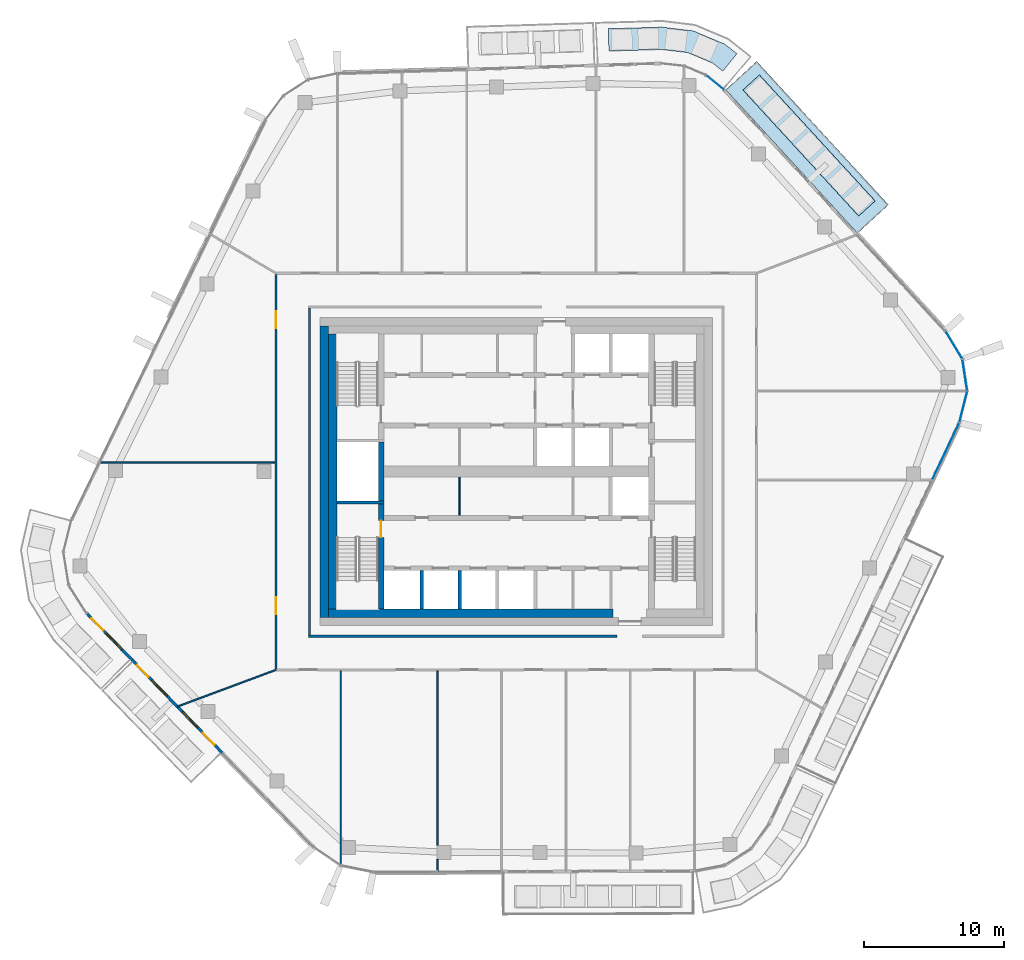
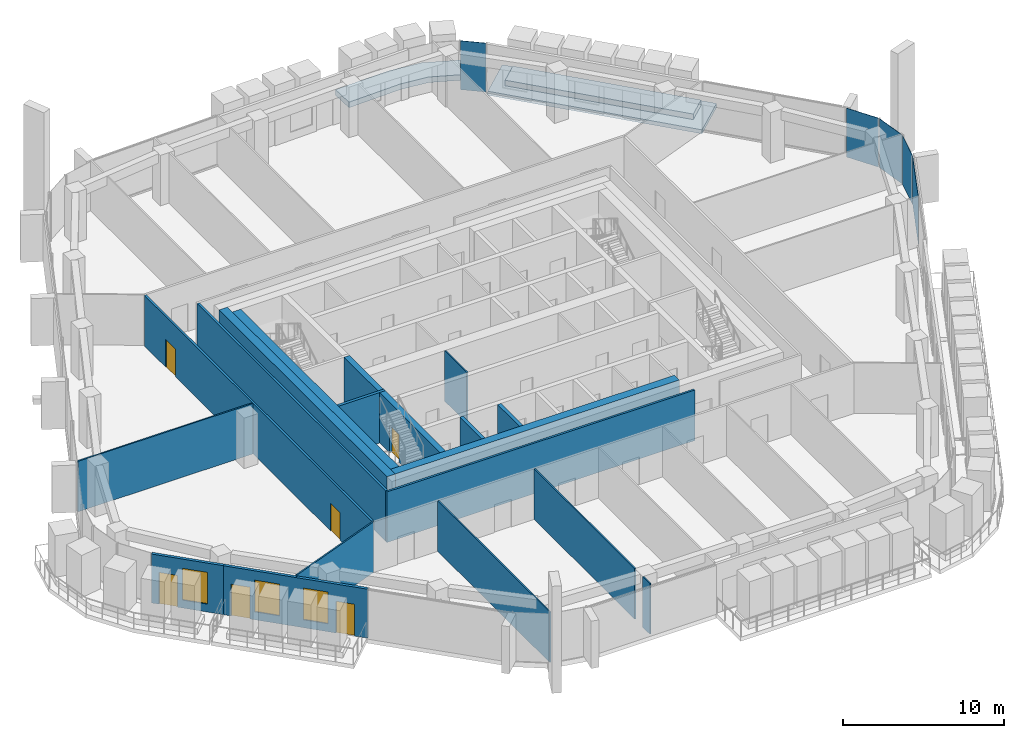
# One storey, part 12 of 24: 19 walls, 6 doors, 5 plates, 3 slabs, 3 windows, 9 openings, 3 elements without a shape of their own.
"""IFC4 building model written with IfcOpenShell, lengths in metres."""

from ifc_helpers import new_model, si_unit, direction, frame, frame_2d, origin, origin_2d, place, context, subcontext, project, spatial, polyline, rectangle, outline, extrude, material, layer, layer_set, type_object, element, fill, aggregate, save


model = new_model("IFC4")

# Units and contexts
model_context = context("Model", 3, precision=1e-05, world=origin(), true_north=direction((0.0, 1.0)))
body_context = subcontext(model_context, "Body", "Model", "MODEL_VIEW")
ifc_project = project(units=[si_unit("LENGTHUNIT", "METRE"), si_unit("AREAUNIT", "SQUARE_METRE"), si_unit("VOLUMEUNIT", "CUBIC_METRE"), si_unit("PLANEANGLEUNIT", "RADIAN"), si_unit("MASSUNIT", "GRAM", prefix="KILO")], contexts=[model_context])

# Site, building, storey
site_placement = place(None, origin())
site = spatial("IfcSite", under=ifc_project, at=site_placement, CompositionType="ELEMENT")
building_placement = place(site_placement, origin())
building = spatial("IfcBuilding", under=site, at=building_placement, Name="Dongbaek Canopy Tower", CompositionType="ELEMENT")
storey_placement = place(building_placement, frame((0.0, 0.0, 344.60009765625)))
storey = spatial("IfcBuildingStorey", under=building, at=storey_placement, Name="L74", CompositionType="ELEMENT", Elevation=344.60009765625)

# Slab
ifc_material_1 = material(Name="Concrete C40/50", Category="concrete")
ifc_layer_1 = layer(ifc_material_1, 0.300048828125)
ifc_layer_set_1 = layer_set([ifc_layer_1], Name="Balcony slab 300")
slab_type_1 = type_object("IfcSlabType", Name="Balcony slab 300", PredefinedType="FLOOR", material=ifc_layer_set_1)
slab_1_placement = place(storey_placement, frame((0.0, 0.0, -0.300048828125)))
element("IfcSlab", 1, at=slab_1_placement, inside=storey, type_object=slab_type_1, Name="Balcony L74 1", PredefinedType="FLOOR", context=body_context, shape_type="SweptSolid", body=[
    extrude(outline(polyline([(24.352783203125, 17.00244140625), (14.942626953125, 27.250244140625), (17.15234375, 29.279296875), (26.5625, 19.03173828125), (24.352783203125, 17.00244140625)])), origin(), (0.0, 0.0, 1.0), 0.300048828125),
])

# Curtain wall, plates
ifc_material_2 = material(Name="Aluminium 6063-T6 pale anodised", Category="aluminium")
ifc_layer_2 = layer(ifc_material_2, 0.199951171875)
ifc_layer_set_2 = layer_set([ifc_layer_2], Name="CW-1 unitised tower curtain wall")
curtain_wall_type = type_object("IfcCurtainWallType", Name="CW-1 unitised tower curtain wall", PredefinedType="NOTDEFINED", material=ifc_layer_set_2)
curtain_wall_1_placement = place(storey_placement, origin())
curtain_wall_1 = element("IfcCurtainWall", 2, at=curtain_wall_1_placement, inside=storey, type_object=curtain_wall_type, Name="CW-1 curtain wall K0.1", PredefinedType="NOTDEFINED")
ifc_material_3 = material(Name="Clear laminated glass", Category="glass")
ifc_layer_3 = layer(ifc_material_3, 0.028076171875)
ifc_layer_set_3 = layer_set([ifc_layer_3], Name="CW-1 glazed panel 28")
plate_type = type_object("IfcPlateType", Name="CW-1 glazed panel 28", PredefinedType="CURTAIN_PANEL", material=ifc_layer_set_3)
plate_1_placement = place(storey_placement, frame((31.89453125, 4.61767578125, 0.0), z_axis=(0.0, 0.0, 1.0), x_axis=(0.242793233587, 0.970078061665, 0.0)))
plate_1 = element("IfcPlate", 3, at=plate_1_placement, type_object=plate_type, Name="CW-1 panel K0.1.1.1", PredefinedType="CURTAIN_PANEL", context=body_context, shape_type="SweptSolid", body=[
    extrude(rectangle(XDim=2.241943359375, YDim=0.028076171875, at=origin_2d()), origin(), (0.0, 0.0, 1.0), 3.699951171875),
])
plate_2_placement = place(storey_placement, frame((32.00390625, 6.890869140625, 0.0), z_axis=(0.0, 0.0, 1.0), x_axis=(-0.149418389045, 0.988774061662, 0.0)))
plate_2 = element("IfcPlate", 4, at=plate_2_placement, type_object=plate_type, Name="CW-1 panel K0.1.2.1", PredefinedType="CURTAIN_PANEL", context=body_context, shape_type="SweptSolid", body=[
    extrude(rectangle(XDim=2.23193359375, YDim=0.028076171875, at=origin_2d()), origin(), (0.0, 0.0, 1.0), 3.699951171875),
])
plate_3_placement = place(storey_placement, frame((31.227783203125, 9.030029296875, 0.0), z_axis=(0.0, 0.0, 1.0), x_axis=(-0.518592759576, 0.855021373835, 0.0)))
plate_3 = element("IfcPlate", 5, at=plate_3_placement, type_object=plate_type, Name="CW-1 panel K0.1.3.1", PredefinedType="CURTAIN_PANEL", context=body_context, shape_type="SweptSolid", body=[
    extrude(rectangle(XDim=2.241943359375, YDim=0.028076171875, at=origin_2d()), origin(), (0.0, 0.0, 1.0), 3.699951171875),
])
aggregate(curtain_wall_1, [plate_1, plate_2, plate_3])

# Curtain wall, plate
curtain_wall_2_placement = place(storey_placement, origin())
curtain_wall_2 = element("IfcCurtainWall", 6, at=curtain_wall_2_placement, inside=storey, type_object=curtain_wall_type, Name="CW-1 curtain wall K1.1", PredefinedType="NOTDEFINED")
plate_4_placement = place(storey_placement, frame((14.185302734375, 27.748779296875, 0.0), z_axis=(0.0, 0.0, 1.0), x_axis=(-0.774535945331, 0.632529896044, 0.0)))
plate_4 = element("IfcPlate", 7, at=plate_4_placement, type_object=plate_type, Name="CW-1 panel K1.1.1.1", PredefinedType="CURTAIN_PANEL", context=body_context, shape_type="SweptSolid", body=[
    extrude(rectangle(XDim=1.6064453125, YDim=0.028076171875, at=origin_2d()), origin(), (0.0, 0.0, 1.0), 3.699951171875),
])
aggregate(curtain_wall_2, [plate_4])

curtain_wall_3_placement = place(storey_placement, origin())
curtain_wall_3 = element("IfcCurtainWall", 8, at=curtain_wall_3_placement, inside=storey, type_object=curtain_wall_type, Name="CW-1 curtain wall F5.1", PredefinedType="NOTDEFINED")
plate_5_placement = place(storey_placement, frame((30.644287109375, 1.448974609375, 0.119873046875), z_axis=(0.0, 0.0, 1.0), x_axis=(0.428521992738, 0.903531350723, 0.0)))
plate_5 = element("IfcPlate", 9, at=plate_5_placement, type_object=plate_type, Name="CW-1 panel F5.1.2.1", PredefinedType="CURTAIN_PANEL", context=body_context, shape_type="SweptSolid", body=[
    extrude(rectangle(XDim=4.432861328125, YDim=0.028076171875, at=origin_2d()), origin(), (0.0, 0.0, 1.0), 3.580078125),
])
aggregate(curtain_wall_3, [plate_5])

# Slabs
ifc_material_4 = material(Name="Reinforced concrete C40/50 planter box with soil", Category="concrete")
ifc_layer_4 = layer(ifc_material_4, 0.419921875)
ifc_layer_set_4 = layer_set([ifc_layer_4], Name="Terrace planter box 1600 x 420")
slab_type_2 = type_object("IfcSlabType", Name="Terrace planter box 1600 x 420", PredefinedType="USERDEFINED", material=ifc_layer_set_4)
slab_2_placement = place(storey_placement, origin())
element("IfcSlab", 10, at=slab_2_placement, inside=storey, type_object=slab_type_2, Name="Balcony planter L74 1", ObjectType="PLANTER", PredefinedType="USERDEFINED", context=body_context, shape_type="SweptSolid", body=[
    extrude(outline(polyline([(24.433349609375, 18.23046875), (16.173095703125, 27.22607421875), (17.3515625, 28.30810546875), (25.61181640625, 19.312744140625), (24.433349609375, 18.23046875)])), origin(), (0.0, 0.0, 1.0), 0.419921875),
])
slab_3_placement = place(storey_placement, origin())
element("IfcSlab", 11, at=slab_3_placement, inside=storey, type_object=slab_type_2, Name="Balcony planter L74 6", ObjectType="PLANTER", PredefinedType="USERDEFINED", context=body_context, shape_type="SweptSolid", body=[
    extrude(outline(polyline([(14.736083984375, 28.5771484375), (14.04150390625, 29.132568359375), (12.2294921875, 29.8955078125), (10.339599609375, 30.115234375), (6.61083984375, 30.001708984375), (6.561279296875, 31.60107421875), (10.404296875, 31.7138671875), (12.633544921875, 31.443603515625), (14.866455078125, 30.50341796875), (15.748046875, 29.81640625), (14.736083984375, 28.5771484375)])), origin(), (0.0, 0.0, 1.0), 0.419921875),
])

# Walls
ifc_material_5 = material(Name="Concrete C80/95", Category="concrete")
ifc_layer_5 = layer(ifc_material_5, 0.60009765625)
ifc_layer_set_5 = layer_set([ifc_layer_5], Name="Core outer wall 600 Concrete C80/95")
wall_type_1 = type_object("IfcWallType", Name="Core outer wall 600 Concrete C80/95", PredefinedType="SHEAR", material=ifc_layer_set_5)
wall_1_placement = place(storey_placement, frame((-13.699951171875, -10.39990234375, 0.0), z_axis=(0.0, 0.0, 1.0), x_axis=(0.0, 1.0, 0.0)))
element("IfcWall", 12, at=wall_1_placement, inside=storey, type_object=wall_type_1, Name="Core wall", PredefinedType="SHEAR", context=body_context, shape_type="SweptSolid", body=[
    extrude(rectangle(XDim=20.7998046875, YDim=0.60009765625, at=frame_2d((10.39990234375, 0.0))), origin(), (0.0, 0.0, 1.0), 3.81982421875),
])
ifc_material_6 = material(Name="Concrete C60/75", Category="concrete")
ifc_layer_6 = layer(ifc_material_6, 0.60009765625)
ifc_layer_set_6 = layer_set([ifc_layer_6], Name="Core wall lining 600 Concrete C60/75")
wall_type_2 = type_object("IfcWallType", Name="Core wall lining 600 Concrete C60/75", PredefinedType="SHEAR", material=ifc_layer_set_6)
wall_2_placement = place(storey_placement, frame((6.89990234375, -10.10009765625, 0.0), z_axis=(0.0, 0.0, 1.0), x_axis=(-1.0, 0.0, 0.0)))
element("IfcWall", 13, at=wall_2_placement, inside=storey, type_object=wall_type_2, Name="Core wall lining", PredefinedType="SHEAR", context=body_context, shape_type="SweptSolid", body=[
    extrude(rectangle(XDim=20.2998046875, YDim=0.60009765625, at=frame_2d((10.14990234375, 0.0))), origin(), (0.0, 0.0, 1.0), 3.81982421875),
])
wall_3_placement = place(storey_placement, frame((-13.10009765625, -9.800048828125, 0.0), z_axis=(0.0, 0.0, 1.0), x_axis=(0.0, 1.0, 0.0)))
element("IfcWall", 14, at=wall_3_placement, inside=storey, type_object=wall_type_2, Name="Core wall lining", PredefinedType="SHEAR", context=body_context, shape_type="SweptSolid", body=[
    extrude(rectangle(XDim=19.60009765625, YDim=0.60009765625, at=frame_2d((9.800048828125, 0.0))), origin(), (0.0, 0.0, 1.0), 3.81982421875),
])
ifc_material_7 = material(Name="Gypsum board partition, steel stud, 2 x 15 mm fire board", Category="steel")
ifc_layer_7 = layer(ifc_material_7, 0.14990234375)
ifc_layer_set_7 = layer_set([ifc_layer_7], Name="Fire-rated partition 150 gypsum board")
wall_type_3 = type_object("IfcWallType", Name="Fire-rated partition 150 gypsum board", PredefinedType="PARTITIONING", material=ifc_layer_set_7)
wall_4_placement = place(storey_placement, frame((-14.824951171875, -11.75, 0.0), z_axis=(0.0, 0.0, 1.0), x_axis=(1.0, 0.0, 0.0)))
element("IfcWall", 15, at=wall_4_placement, inside=storey, type_object=wall_type_3, Name="Corridor partition", PredefinedType="PARTITIONING", context=body_context, shape_type="SweptSolid", body=[
    extrude(rectangle(XDim=22.02490234375, YDim=0.14990234375, at=frame_2d((11.012451171875, 0.0))), origin(), (0.0, 0.0, 1.0), 3.81982421875),
])
wall_5_placement = place(storey_placement, frame((-14.75, -11.675048828125, 0.0), z_axis=(0.0, 0.0, 1.0), x_axis=(0.0, 1.0, 0.0)))
element("IfcWall", 16, at=wall_5_placement, inside=storey, type_object=wall_type_3, Name="Corridor partition", PredefinedType="PARTITIONING", context=body_context, shape_type="SweptSolid", body=[
    extrude(rectangle(XDim=23.35009765625, YDim=0.14990234375, at=frame_2d((11.675048828125, 0.0))), origin(), (0.0, 0.0, 1.0), 3.81982421875),
])

# Wall, openings, doors
wall_6_placement = place(storey_placement, frame((-17.14990234375, -14.074951171875, 0.0), z_axis=(0.0, 0.0, 1.0), x_axis=(0.0, 1.0, 0.0)))
wall_6 = element("IfcWall", 17, at=wall_6_placement, inside=storey, type_object=wall_type_3, Name="Corridor partition", PredefinedType="PARTITIONING", context=body_context, shape_type="SweptSolid", body=[
    extrude(rectangle(XDim=28.14990234375, YDim=0.14990234375, at=frame_2d((14.074951171875, 0.0))), origin(), (0.0, 0.0, 1.0), 3.81982421875),
])
opening_1_placement = place(wall_6_placement, frame((3.890869140625, 0.0, 0.0)))
opening_1 = element("IfcOpeningElement", 18, at=opening_1_placement, cuts=wall_6, Name="Opening L74-D001", PredefinedType="OPENING", context=body_context, shape_type="SweptSolid", body=[
    extrude(rectangle(XDim=1.199951171875, YDim=2.10009765625, at=frame_2d((0.60009765625, 1.050048828125))), frame((0.0, 0.0849609375, 0.0), z_axis=(0.0, -1.0, 0.0), x_axis=(1.0, 0.0, 0.0)), (0.0, 0.0, 1.0), 0.169921875),
])
opening_2_placement = place(wall_6_placement, frame((24.31201171875, 0.0, 0.0)))
opening_2 = element("IfcOpeningElement", 19, at=opening_2_placement, cuts=wall_6, Name="Opening L74-D018", PredefinedType="OPENING", context=body_context, shape_type="SweptSolid", body=[
    extrude(rectangle(XDim=1.199951171875, YDim=2.10009765625, at=frame_2d((0.60009765625, 1.050048828125))), frame((0.0, 0.0849609375, 0.0), z_axis=(0.0, -1.0, 0.0), x_axis=(1.0, 0.0, 0.0)), (0.0, 0.0, 1.0), 0.169921875),
])
ifc_material_8 = material(Name="Timber veneered door leaf", Category="wood")
door_type_1 = type_object("IfcDoorType", Name="Room door 1200 x 2100", OperationType="SINGLE_SWING_LEFT", PredefinedType="DOOR", material=ifc_material_8)
door_1_placement = place(opening_1_placement, origin())
door_1 = element("IfcDoor", 20, at=door_1_placement, inside=storey, type_object=door_type_1, Name="Door L74-D001", OperationType="SINGLE_SWING_RIGHT", OverallHeight=2.10009765625, OverallWidth=1.199951171875, PredefinedType="DOOR", context=body_context, shape_type="SweptSolid", body=[
    extrude(rectangle(XDim=1.199951171875, YDim=2.10009765625, at=frame_2d((0.60009765625, 1.050048828125))), frame((0.0, 0.02490234375, 0.0), z_axis=(0.0, -1.0, 0.0), x_axis=(1.0, 0.0, 0.0)), (0.0, 0.0, 1.0), 0.050048828125),
])
fill(opening_1, door_1)
door_2_placement = place(opening_2_placement, origin())
door_2 = element("IfcDoor", 21, at=door_2_placement, inside=storey, type_object=door_type_1, Name="Door L74-D018", OperationType="SINGLE_SWING_LEFT", OverallHeight=2.10009765625, OverallWidth=1.199951171875, PredefinedType="DOOR", context=body_context, shape_type="SweptSolid", body=[
    extrude(rectangle(XDim=1.199951171875, YDim=2.10009765625, at=frame_2d((0.60009765625, 1.050048828125))), frame((0.0, 0.02490234375, 0.0), z_axis=(0.0, -1.0, 0.0), x_axis=(1.0, 0.0, 0.0)), (0.0, 0.0, 1.0), 0.050048828125),
])
fill(opening_2, door_2)

# Walls
ifc_material_9 = material(Name="Concrete C40/50", Category="concrete")
ifc_layer_8 = layer(ifc_material_9, 0.25)
ifc_layer_set_8 = layer_set([ifc_layer_8], Name="Lift shaft wall 250 Concrete C40/50")
wall_type_4 = type_object("IfcWallType", Name="Lift shaft wall 250 Concrete C40/50", PredefinedType="SOLIDWALL", material=ifc_layer_set_8)
for number, where, z_axis, x_axis, name in (
    (22, (-4.050048828125, -9.800048828125, 0.0), (0.0, 0.0, 1.0), (0.0, 1.0, 0.0), "Lift shaft wall"),
    (23, (-6.75, -9.800048828125, 0.0), (0.0, 0.0, 1.0), (0.0, 1.0, 0.0), "Lift shaft wall"),
):
    element("IfcWall", number, at=place(storey_placement, frame(where, z_axis=z_axis, x_axis=x_axis)), inside=storey, type_object=wall_type_4, Name=name, PredefinedType="SOLIDWALL", context=body_context, shape_type="SweptSolid", body=[
        extrude(rectangle(XDim=2.72509765625, YDim=0.25, at=frame_2d((1.362548828125, 0.0))), origin(), (0.0, 0.0, 1.0), 3.81982421875),
    ])
ifc_material_10 = material(Name="Gypsum board partition, steel stud, 2 x 12.5 mm board", Category="steel")
ifc_layer_9 = layer(ifc_material_10, 0.10009765625)
ifc_layer_set_9 = layer_set([ifc_layer_9], Name="Partition 100 gypsum board")
wall_type_5 = type_object("IfcWallType", Name="Partition 100 gypsum board", PredefinedType="PARTITIONING", material=ifc_layer_set_9)
wall_7_placement = place(storey_placement, frame((-29.732177734375, 0.656005859375, 0.0), z_axis=(0.0, 0.0, 1.0), x_axis=(1.0, 0.0, 0.0)))
element("IfcWall", 24, at=wall_7_placement, inside=storey, type_object=wall_type_5, Name="Partition", PredefinedType="PARTITIONING", context=body_context, shape_type="SweptSolid", body=[
    extrude(rectangle(XDim=12.507080078125, YDim=0.10009765625, at=frame_2d((6.25341796875, 0.0))), origin(), (0.0, 0.0, 1.0), 3.81982421875),
])
wall_8_placement = place(storey_placement, frame((-24.163818359375, -16.767333984375, 0.0), z_axis=(0.0, 0.0, 1.0), x_axis=(0.936910882714, 0.349568302127, 0.0)))
element("IfcWall", 25, at=wall_8_placement, inside=storey, type_object=wall_type_5, Name="Partition", PredefinedType="PARTITIONING", context=body_context, shape_type="SweptSolid", body=[
    extrude(rectangle(XDim=7.486328125, YDim=0.10009765625, at=frame_2d((3.7431640625, 0.0))), origin(), (0.0, 0.0, 1.0), 3.81982421875),
])
wall_9_placement = place(storey_placement, frame((-5.632080078125, -28.539794921875, 0.0), z_axis=(0.0, 0.0, 1.0), x_axis=(0.0, 1.0, 0.0)))
element("IfcWall", 26, at=wall_9_placement, inside=storey, type_object=wall_type_5, Name="Partition", PredefinedType="PARTITIONING", context=body_context, shape_type="SweptSolid", body=[
    extrude(rectangle(XDim=0.872802734375, YDim=0.10009765625, at=frame_2d((0.4365234375, 0.0))), origin(), (0.0, 0.0, 1.0), 3.81982421875),
])
wall_10_placement = place(storey_placement, frame((-5.632080078125, -26.6669921875, 0.0), z_axis=(0.0, 0.0, 1.0), x_axis=(0.0, 1.0, 0.0)))
element("IfcWall", 27, at=wall_10_placement, inside=storey, type_object=wall_type_5, Name="Partition", PredefinedType="PARTITIONING", context=body_context, shape_type="SweptSolid", body=[
    extrude(rectangle(XDim=12.44189453125, YDim=0.10009765625, at=frame_2d((6.220947265625, 0.0))), origin(), (0.0, 0.0, 1.0), 3.81982421875),
])
wall_11_placement = place(storey_placement, frame((-12.529052734375, -28.0849609375, 0.0), z_axis=(0.0, 0.0, 1.0), x_axis=(0.0, 1.0, 0.0)))
element("IfcWall", 28, at=wall_11_placement, inside=storey, type_object=wall_type_5, Name="Partition", PredefinedType="PARTITIONING", context=body_context, shape_type="SweptSolid", body=[
    extrude(rectangle(XDim=13.85986328125, YDim=0.10009765625, at=frame_2d((6.929931640625, 0.0))), origin(), (0.0, 0.0, 1.0), 3.81982421875),
])
wall_12_placement = place(storey_placement, frame((-4.050048828125, -3.125, 0.0), z_axis=(0.0, 0.0, 1.0), x_axis=(0.0, 1.0, 0.0)))
element("IfcWall", 29, at=wall_12_placement, inside=storey, type_object=wall_type_5, Name="Core partition", PredefinedType="PARTITIONING", context=body_context, shape_type="SweptSolid", body=[
    extrude(rectangle(XDim=2.72509765625, YDim=0.10009765625, at=frame_2d((1.362548828125, 0.0))), origin(), (0.0, 0.0, 1.0), 3.81982421875),
])
ifc_material_11 = material(Name="Concrete C60/75", Category="concrete")
ifc_layer_10 = layer(ifc_material_11, 0.199951171875)
ifc_layer_set_10 = layer_set([ifc_layer_10], Name="Riser wall 200 Concrete C60/75")
wall_type_6 = type_object("IfcWallType", Name="Riser wall 200 Concrete C60/75", PredefinedType="SHEAR", material=ifc_layer_set_10)
wall_13_placement = place(storey_placement, frame((-9.449951171875, -2.199951171875, 0.0), z_axis=(0.0, 0.0, 1.0), x_axis=(-1.0, 0.0, 0.0)))
element("IfcWall", 30, at=wall_13_placement, inside=storey, type_object=wall_type_6, Name="Riser wall", PredefinedType="SHEAR", context=body_context, shape_type="SweptSolid", body=[
    extrude(rectangle(XDim=3.35009765625, YDim=0.199951171875, at=frame_2d((1.675048828125, 0.0))), origin(), (0.0, 0.0, 1.0), 3.81982421875),
])

# Wall, opening, door
ifc_material_12 = material(Name="Concrete C60/75", Category="concrete")
ifc_layer_11 = layer(ifc_material_12, 0.39990234375)
ifc_layer_set_11 = layer_set([ifc_layer_11], Name="Stair wall 400 Concrete C60/75")
wall_type_7 = type_object("IfcWallType", Name="Stair wall 400 Concrete C60/75", PredefinedType="SHEAR", material=ifc_layer_set_11)
wall_14_placement = place(storey_placement, frame((-9.64990234375, -9.800048828125, 0.0), z_axis=(0.0, 0.0, 1.0), x_axis=(0.0, 1.0, 0.0)))
wall_14 = element("IfcWall", 31, at=wall_14_placement, inside=storey, type_object=wall_type_7, Name="Stair wall", PredefinedType="SHEAR", context=body_context, shape_type="SweptSolid", body=[
    extrude(rectangle(XDim=7.5, YDim=0.39990234375, at=frame_2d((3.75, 0.0))), origin(), (0.0, 0.0, 1.0), 3.81982421875),
])
opening_3_placement = place(wall_14_placement, frame((5.10009765625, 0.0, 0.0)))
opening_3 = element("IfcOpeningElement", 32, at=opening_3_placement, cuts=wall_14, Name="Opening L74-D047", PredefinedType="OPENING", context=body_context, shape_type="SweptSolid", body=[
    extrude(rectangle(XDim=1.199951171875, YDim=2.10009765625, at=frame_2d((0.60009765625, 1.050048828125))), frame((0.0, 0.2099609375, 0.0), z_axis=(0.0, -1.0, 0.0), x_axis=(1.0, 0.0, 0.0)), (0.0, 0.0, 1.0), 0.419921875),
])
ifc_material_13 = material(Name="Steel", Category="steel")
door_type_2 = type_object("IfcDoorType", Name="Stair door 1200 x 2100", OperationType="SINGLE_SWING_LEFT", PredefinedType="DOOR", material=ifc_material_13)
door_3_placement = place(opening_3_placement, origin())
door_3 = element("IfcDoor", 33, at=door_3_placement, inside=storey, type_object=door_type_2, Name="Stair D door", OperationType="SINGLE_SWING_LEFT", OverallHeight=2.10009765625, OverallWidth=1.199951171875, PredefinedType="DOOR", context=body_context, shape_type="SweptSolid", body=[
    extrude(rectangle(XDim=1.199951171875, YDim=2.10009765625, at=frame_2d((0.60009765625, 1.050048828125))), frame((0.0, 0.02490234375, 0.0), z_axis=(0.0, -1.0, 0.0), x_axis=(1.0, 0.0, 0.0)), (0.0, 0.0, 1.0), 0.050048828125),
])
fill(opening_3, door_3)

# Wall
wall_15_placement = place(storey_placement, frame((-9.64990234375, -2.10009765625, 0.0), z_axis=(0.0, 0.0, 1.0), x_axis=(0.0, 1.0, 0.0)))
element("IfcWall", 34, at=wall_15_placement, inside=storey, type_object=wall_type_7, Name="Stair wall", PredefinedType="SHEAR", context=body_context, shape_type="SweptSolid", body=[
    extrude(rectangle(XDim=4.2001953125, YDim=0.39990234375, at=frame_2d((2.10009765625, 0.0))), origin(), (0.0, 0.0, 1.0), 3.81982421875),
])

# Wall, openings, doors, windows
ifc_material_14 = material(Name="Aluminium window wall", Category="aluminium")
ifc_layer_12 = layer(ifc_material_14, 0.199951171875)
ifc_layer_set_12 = layer_set([ifc_layer_12], Name="Window wall 200")
wall_type_8 = type_object("IfcWallType", Name="Window wall 200", PredefinedType="SOLIDWALL", material=ifc_layer_set_12)
wall_16_placement = place(storey_placement, frame((-27.421630859375, -13.43798828125, 0.0), z_axis=(0.0, 0.0, 1.0), x_axis=(0.696377931732, -0.717675258175, 0.0)))
wall_16 = element("IfcWall", 35, at=wall_16_placement, inside=storey, type_object=wall_type_8, Name="Window wall L74 3", PredefinedType="SOLIDWALL", context=body_context, shape_type="SweptSolid", body=[
    extrude(rectangle(XDim=9.296875, YDim=0.199951171875, at=frame_2d((4.6484375, 0.0))), origin(), (0.0, 0.0, 1.0), 3.699951171875),
])
opening_4_placement = place(wall_16_placement, frame((2.0, 0.0, 0.60009765625)))
opening_4 = element("IfcOpeningElement", 36, at=opening_4_placement, cuts=wall_16, Name="Opening W1", PredefinedType="OPENING", context=body_context, shape_type="SweptSolid", body=[
    extrude(rectangle(XDim=1.60009765625, YDim=2.39990234375, at=frame_2d((0.800048828125, 1.199951171875))), frame((0.0, 0.10986328125, 0.0), z_axis=(0.0, -1.0, 0.0), x_axis=(1.0, 0.0, 0.0)), (0.0, 0.0, 1.0), 0.219970703125),
])
opening_5_placement = place(wall_16_placement, frame((0.5, 0.0, 0.0)))
opening_5 = element("IfcOpeningElement", 37, at=opening_5_placement, cuts=wall_16, Name="Opening L74-B07", PredefinedType="OPENING", context=body_context, shape_type="SweptSolid", body=[
    extrude(rectangle(XDim=1.199951171875, YDim=2.39990234375, at=frame_2d((0.60009765625, 1.199951171875))), frame((0.0, 0.10986328125, 0.0), z_axis=(0.0, -1.0, 0.0), x_axis=(1.0, 0.0, 0.0)), (0.0, 0.0, 1.0), 0.219970703125),
])
opening_6_placement = place(wall_16_placement, frame((5.1484375, 0.0, 0.60009765625)))
opening_6 = element("IfcOpeningElement", 38, at=opening_6_placement, cuts=wall_16, Name="Opening W1", PredefinedType="OPENING", context=body_context, shape_type="SweptSolid", body=[
    extrude(rectangle(XDim=1.60009765625, YDim=2.39990234375, at=frame_2d((0.800048828125, 1.199951171875))), frame((0.0, 0.10986328125, 0.0), z_axis=(0.0, -1.0, 0.0), x_axis=(1.0, 0.0, 0.0)), (0.0, 0.0, 1.0), 0.219970703125),
])
opening_7_placement = place(wall_16_placement, frame((7.24853515625, 0.0, 0.0)))
opening_7 = element("IfcOpeningElement", 39, at=opening_7_placement, cuts=wall_16, Name="Opening L74-B08", PredefinedType="OPENING", context=body_context, shape_type="SweptSolid", body=[
    extrude(rectangle(XDim=1.199951171875, YDim=2.39990234375, at=frame_2d((0.60009765625, 1.199951171875))), frame((0.0, 0.10986328125, 0.0), z_axis=(0.0, -1.0, 0.0), x_axis=(1.0, 0.0, 0.0)), (0.0, 0.0, 1.0), 0.219970703125),
])
ifc_material_15 = material(Name="Clear glazing in aluminium frame", Category="aluminium")
door_type_3 = type_object("IfcDoorType", Name="Balcony door BD1 1200 x 2400", OperationType="SLIDING_TO_LEFT", PredefinedType="DOOR", material=ifc_material_15)
door_4_placement = place(opening_5_placement, origin())
door_4 = element("IfcDoor", 40, at=door_4_placement, inside=storey, type_object=door_type_3, Name="Balcony door L74-B07", OperationType="SLIDING_TO_LEFT", OverallHeight=2.39990234375, OverallWidth=1.199951171875, PredefinedType="DOOR", context=body_context, shape_type="SweptSolid", body=[
    extrude(rectangle(XDim=1.199951171875, YDim=2.39990234375, at=frame_2d((0.60009765625, 1.199951171875))), frame((0.0, 0.02490234375, 0.0), z_axis=(0.0, -1.0, 0.0), x_axis=(1.0, 0.0, 0.0)), (0.0, 0.0, 1.0), 0.050048828125),
])
fill(opening_5, door_4)
door_5_placement = place(opening_7_placement, origin())
door_5 = element("IfcDoor", 41, at=door_5_placement, inside=storey, type_object=door_type_3, Name="Balcony door L74-B08", OperationType="SLIDING_TO_LEFT", OverallHeight=2.39990234375, OverallWidth=1.199951171875, PredefinedType="DOOR", context=body_context, shape_type="SweptSolid", body=[
    extrude(rectangle(XDim=1.199951171875, YDim=2.39990234375, at=frame_2d((0.60009765625, 1.199951171875))), frame((0.0, 0.02490234375, 0.0), z_axis=(0.0, -1.0, 0.0), x_axis=(1.0, 0.0, 0.0)), (0.0, 0.0, 1.0), 0.050048828125),
])
fill(opening_7, door_5)
ifc_material_16 = material(Name="Clear glazing in aluminium frame", Category="aluminium")
window_type = type_object("IfcWindowType", Name="Window W1 1600 x 2400", PartitioningType="SINGLE_PANEL", PredefinedType="WINDOW", material=ifc_material_16)
window_1_placement = place(opening_4_placement, origin())
window_1 = element("IfcWindow", 42, at=window_1_placement, inside=storey, type_object=window_type, Name="Window L74 3.1", OverallHeight=2.39990234375, OverallWidth=1.60009765625, PartitioningType="SINGLE_PANEL", PredefinedType="WINDOW", context=body_context, shape_type="SweptSolid", body=[
    extrude(rectangle(XDim=1.60009765625, YDim=2.39990234375, at=frame_2d((0.800048828125, 1.199951171875))), frame((0.0, 0.030029296875, 0.0), z_axis=(0.0, -1.0, 0.0), x_axis=(1.0, 0.0, 0.0)), (0.0, 0.0, 1.0), 0.06005859375),
])
fill(opening_4, window_1)
window_2_placement = place(opening_6_placement, origin())
window_2 = element("IfcWindow", 43, at=window_2_placement, inside=storey, type_object=window_type, Name="Window L74 3.2", OverallHeight=2.39990234375, OverallWidth=1.60009765625, PartitioningType="SINGLE_PANEL", PredefinedType="WINDOW", context=body_context, shape_type="SweptSolid", body=[
    extrude(rectangle(XDim=1.60009765625, YDim=2.39990234375, at=frame_2d((0.800048828125, 1.199951171875))), frame((0.0, 0.030029296875, 0.0), z_axis=(0.0, -1.0, 0.0), x_axis=(1.0, 0.0, 0.0)), (0.0, 0.0, 1.0), 0.06005859375),
])
fill(opening_6, window_2)

# Wall, openings, door, window
wall_17_placement = place(storey_placement, frame((-30.651611328125, -10.109130859375, 0.0), z_axis=(0.0, 0.0, 1.0), x_axis=(0.696367753757, -0.717685133974, 0.0)))
wall_17 = element("IfcWall", 44, at=wall_17_placement, inside=storey, type_object=wall_type_8, Name="Window wall L74 7", PredefinedType="SOLIDWALL", context=body_context, shape_type="SweptSolid", body=[
    extrude(rectangle(XDim=4.638427734375, YDim=0.199951171875, at=frame_2d((2.3193359375, 0.0))), origin(), (0.0, 0.0, 1.0), 3.699951171875),
])
opening_8_placement = place(wall_17_placement, frame((2.0, 0.0, 0.60009765625)))
opening_8 = element("IfcOpeningElement", 45, at=opening_8_placement, cuts=wall_17, Name="Opening W1", PredefinedType="OPENING", context=body_context, shape_type="SweptSolid", body=[
    extrude(rectangle(XDim=1.60009765625, YDim=2.39990234375, at=frame_2d((0.800048828125, 1.199951171875))), frame((0.0, 0.10986328125, 0.0), z_axis=(0.0, -1.0, 0.0), x_axis=(1.0, 0.0, 0.0)), (0.0, 0.0, 1.0), 0.219970703125),
])
opening_9_placement = place(wall_17_placement, frame((0.5, 0.0, 0.0)))
opening_9 = element("IfcOpeningElement", 46, at=opening_9_placement, cuts=wall_17, Name="Opening L74-B09", PredefinedType="OPENING", context=body_context, shape_type="SweptSolid", body=[
    extrude(rectangle(XDim=1.199951171875, YDim=2.39990234375, at=frame_2d((0.60009765625, 1.199951171875))), frame((0.0, 0.10986328125, 0.0), z_axis=(0.0, -1.0, 0.0), x_axis=(1.0, 0.0, 0.0)), (0.0, 0.0, 1.0), 0.219970703125),
])
door_6_placement = place(opening_9_placement, origin())
door_6 = element("IfcDoor", 47, at=door_6_placement, inside=storey, type_object=door_type_3, Name="Balcony door L74-B09", OperationType="SLIDING_TO_LEFT", OverallHeight=2.39990234375, OverallWidth=1.199951171875, PredefinedType="DOOR", context=body_context, shape_type="SweptSolid", body=[
    extrude(rectangle(XDim=1.199951171875, YDim=2.39990234375, at=frame_2d((0.60009765625, 1.199951171875))), frame((0.0, 0.02490234375, 0.0), z_axis=(0.0, -1.0, 0.0), x_axis=(1.0, 0.0, 0.0)), (0.0, 0.0, 1.0), 0.050048828125),
])
fill(opening_9, door_6)
window_3_placement = place(opening_8_placement, origin())
window_3 = element("IfcWindow", 48, at=window_3_placement, inside=storey, type_object=window_type, Name="Window L74 7.1", OverallHeight=2.39990234375, OverallWidth=1.60009765625, PartitioningType="SINGLE_PANEL", PredefinedType="WINDOW", context=body_context, shape_type="SweptSolid", body=[
    extrude(rectangle(XDim=1.60009765625, YDim=2.39990234375, at=frame_2d((0.800048828125, 1.199951171875))), frame((0.0, 0.030029296875, 0.0), z_axis=(0.0, -1.0, 0.0), x_axis=(1.0, 0.0, 0.0)), (0.0, 0.0, 1.0), 0.06005859375),
])
fill(opening_8, window_3)

save(model, "model.ifc")
